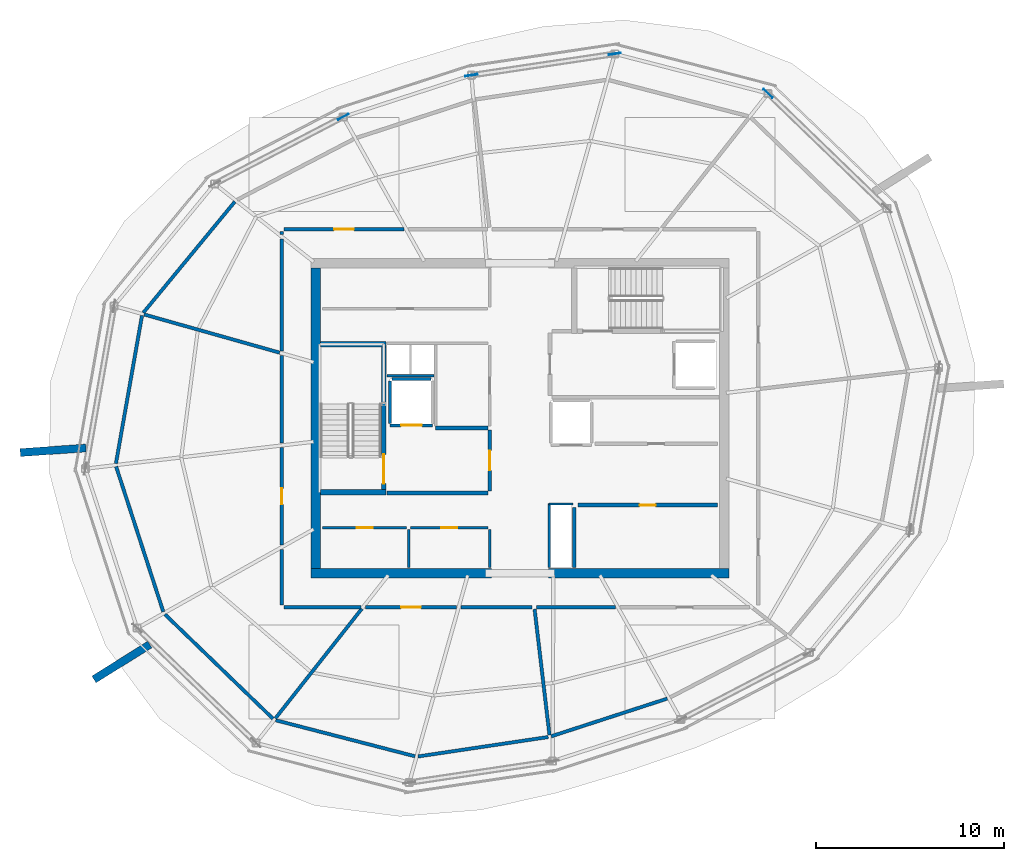
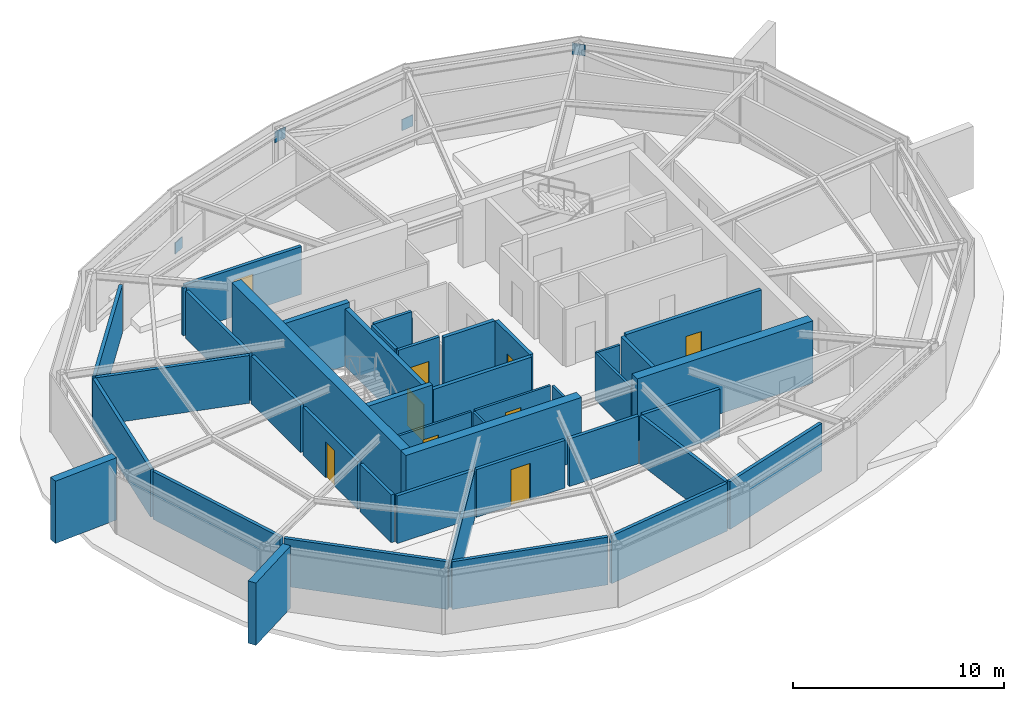
# One storey, part 7 of 10: 43 walls, 9 doors, 4 plates, 9 openings.
"""IFC4 building model written with IfcOpenShell, lengths in metres."""

from ifc_helpers import new_model, si_unit, direction, frame, frame_2d, origin, origin_2d, place, context, subcontext, project, spatial, rectangle, extrude, material, layer, layer_set, type_object, element, fill, save


model = new_model("IFC4")

# Units and contexts
model_context = context("Model", 3, precision=1e-05, world=origin(), true_north=direction((0.0, 1.0)))
body_context = subcontext(model_context, "Body", "Model", "MODEL_VIEW")
ifc_project = project(units=[si_unit("LENGTHUNIT", "METRE"), si_unit("AREAUNIT", "SQUARE_METRE"), si_unit("VOLUMEUNIT", "CUBIC_METRE"), si_unit("PLANEANGLEUNIT", "RADIAN"), si_unit("MASSUNIT", "GRAM", prefix="KILO")], contexts=[model_context])

# Site, building, storey
site_placement = place(None, origin())
site = spatial("IfcSite", under=ifc_project, at=site_placement, CompositionType="ELEMENT")
building_placement = place(site_placement, origin())
building = spatial("IfcBuilding", under=site, at=building_placement, Name="Kazma Halo Residences", CompositionType="ELEMENT")
storey_placement = place(building_placement, frame((0.0, 0.0, 363.199951171875)))
storey = spatial("IfcBuildingStorey", under=building, at=storey_placement, Name="L91", CompositionType="ELEMENT", Elevation=363.199951171875)

# Plates
ifc_material_1 = material(Name="Steel S355", Category="steel")
ifc_layer_1 = layer(ifc_material_1, 0.0400390625)
ifc_layer_set_1 = layer_set([ifc_layer_1], Name="Steel S355")
plate_type = type_object("IfcPlateType", Name="PLT-GUSSET-40", PredefinedType="SHEET", material=ifc_layer_set_1)
for number, where, z_axis, x_axis, name in (
    (1, (61.617431640625, 59.273681640625, 2.614990234375), (0.0, 0.0, 1.0), (-0.719342064482, 0.694656025863, 0.0), "L91 crown brace upper gusset 01"),
    (2, (53.46630859375, 61.38232421875, -0.044921875), (0.0, 0.0, 1.0), (-0.98903421845, -0.147686542161, 0.0), "L91 crown brace lower gusset 03"),
    (3, (45.8408203125, 60.24365234375, 2.614990234375), (0.0, 0.0, 1.0), (-0.98903421845, -0.147686542161, 0.0), "L91 crown brace upper gusset 03"),
    (4, (39.0234375, 58.02880859375, -0.044921875), (0.0, 0.0, 1.0), (-0.886949727325, -0.461865977529, 0.0), "L91 crown brace lower gusset 05"),
):
    element("IfcPlate", number, at=place(storey_placement, frame(where, z_axis=z_axis, x_axis=x_axis)), inside=storey, type_object=plate_type, Name=name, PredefinedType="SHEET", context=body_context, shape_type="SweptSolid", body=[
        extrude(rectangle(XDim=0.64990234375, YDim=0.0400390625, at=origin_2d()), origin(), (0.0, 0.0, 1.0), 0.64990234375),
    ])

# Walls
ifc_material_2 = material(Name="Pale Concrete C60/75", Category="concrete")
ifc_layer_2 = layer(ifc_material_2, 0.419921875)
ifc_layer_set_2 = layer_set([ifc_layer_2], Name="Pale Concrete C60/75")
wall_type_1 = type_object("IfcWallType", Name="WL-BLADE-420", PredefinedType="SOLIDWALL", material=ifc_layer_set_2)
for number, where, z_axis, x_axis, name in (
    (5, (25.333984375, 40.4150390625, 0.0), (0.0, 0.0, 1.0), (-0.997564163539, -0.069754853754, 0.0), "L91 pale concrete structural blade fin wall BW-02"),
    (6, (28.731201171875, 29.95947265625, 0.0), (0.0, 0.0, 1.0), (-0.848033572426, -0.529942506352, 0.0), "L91 pale concrete structural blade fin wall BW-03"),
):
    element("IfcWall", number, at=place(storey_placement, frame(where, z_axis=z_axis, x_axis=x_axis)), inside=storey, type_object=wall_type_1, Name=name, PredefinedType="SOLIDWALL", context=body_context, shape_type="SweptSolid", body=[
        extrude(rectangle(XDim=3.5, YDim=0.419921875, at=frame_2d((1.75, 0.0))), origin(), (0.0, 0.0, 1.0), 3.60009765625),
    ])
ifc_material_3 = material(Name="Concrete C60/75", Category="concrete")
ifc_layer_3 = layer(ifc_material_3, 0.5)
ifc_layer_set_3 = layer_set([ifc_layer_3], Name="Concrete C60/75")
wall_type_2 = type_object("IfcWallType", Name="WL-CORE-500", PredefinedType="SHEAR", material=ifc_layer_set_3)
wall_1_placement = place(storey_placement, frame((37.300048828125, 33.75, 0.0), z_axis=(0.0, 0.0, 1.0), x_axis=(1.0, 0.0, 0.0)))
element("IfcWall", 7, at=wall_1_placement, inside=storey, type_object=wall_type_2, Name="L91 central core shear wall SW", PredefinedType="SHEAR", context=body_context, shape_type="SweptSolid", body=[
    extrude(rectangle(XDim=9.599853515625, YDim=0.5, at=frame_2d((4.7998046875, 0.0))), origin(), (0.0, 0.0, 1.0), 3.60009765625),
])
wall_2_placement = place(storey_placement, frame((49.949951171875, 33.75, 0.0), z_axis=(0.0, 0.0, 1.0), x_axis=(1.0, 0.0, 0.0)))
element("IfcWall", 8, at=wall_2_placement, inside=storey, type_object=wall_type_2, Name="L91 central core shear wall SE", PredefinedType="SHEAR", context=body_context, shape_type="SweptSolid", body=[
    extrude(rectangle(XDim=9.60009765625, YDim=0.5, at=frame_2d((4.800048828125, 0.0))), origin(), (0.0, 0.0, 1.0), 3.60009765625),
])
wall_3_placement = place(storey_placement, frame((37.550048828125, 34.0, 0.0), z_axis=(0.0, 0.0, 1.0), x_axis=(0.0, 1.0, 0.0)))
element("IfcWall", 9, at=wall_3_placement, inside=storey, type_object=wall_type_2, Name="L91 central core shear wall W", PredefinedType="SHEAR", context=body_context, shape_type="SweptSolid", body=[
    extrude(rectangle(XDim=16.0, YDim=0.5, at=frame_2d((8.0, 0.0))), origin(), (0.0, 0.0, 1.0), 3.60009765625),
])
ifc_layer_4 = layer(ifc_material_3, 0.280029296875)
ifc_layer_set_4 = layer_set([ifc_layer_4], Name="Concrete C60/75")
wall_type_3 = type_object("IfcWallType", Name="WL-CORE-ST-280", PredefinedType="SHEAR", material=ifc_layer_set_4)
for number, where, z_axis, x_axis, name in (
    (10, (37.800048828125, 38.06005859375, 0.0), (0.0, 0.0, 1.0), (1.0, 0.0, 0.0), "L91 stairwell bearing wall ST01-S"),
    (11, (37.800048828125, 45.93994140625, 0.0), (0.0, 0.0, 1.0), (1.0, 0.0, 0.0), "L91 stairwell bearing wall ST01-N"),
):
    element("IfcWall", number, at=place(storey_placement, frame(where, z_axis=z_axis, x_axis=x_axis)), inside=storey, type_object=wall_type_3, Name=name, PredefinedType="SHEAR", context=body_context, shape_type="SweptSolid", body=[
        extrude(rectangle(XDim=3.5, YDim=0.280029296875, at=frame_2d((1.75, 0.0))), origin(), (0.0, 0.0, 1.0), 3.60009765625),
    ])
ifc_material_4 = material(Name="Acoustic Twin-Stud Gypsum")
ifc_layer_5 = layer(ifc_material_4, 0.179931640625)
ifc_layer_set_5 = layer_set([ifc_layer_5], Name="Acoustic Twin-Stud Gypsum")
wall_type_4 = type_object("IfcWallType", Name="WL-DEM-180", PredefinedType="PARTITIONING", material=ifc_layer_set_5)
wall_4_placement = place(storey_placement, frame((33.257568359375, 53.520263671875, 0.0), z_axis=(0.0, 0.0, 1.0), x_axis=(-0.636018833443, -0.771673534278, 0.0)))
element("IfcWall", 12, at=wall_4_placement, inside=storey, type_object=wall_type_4, Name="L91 crown plant perimeter wall 05", PredefinedType="PARTITIONING", context=body_context, shape_type="SweptSolid", body=[
    extrude(rectangle(XDim=7.661376953125, YDim=0.179931640625, at=frame_2d((3.83056640625, 0.0))), origin(), (0.0, 0.0, 1.0), 2.760009765625),
])
wall_5_placement = place(storey_placement, frame((28.320068359375, 47.467529296875, 0.0), z_axis=(0.0, 0.0, 1.0), x_axis=(-0.173668776466, -0.984804120666, 0.0)))
element("IfcWall", 13, at=wall_5_placement, inside=storey, type_object=wall_type_4, Name="L91 crown plant perimeter wall 06", PredefinedType="PARTITIONING", context=body_context, shape_type="SweptSolid", body=[
    extrude(rectangle(XDim=8.005859375, YDim=0.179931640625, at=frame_2d((4.0029296875, 0.0))), origin(), (0.0, 0.0, 1.0), 2.760009765625),
])
wall_6_placement = place(storey_placement, frame((26.940673828125, 39.428466796875, 0.0), z_axis=(0.0, 0.0, 1.0), x_axis=(0.309024234991, -0.951054163646, 0.0)))
element("IfcWall", 14, at=wall_6_placement, inside=storey, type_object=wall_type_4, Name="L91 crown plant perimeter wall 07", PredefinedType="PARTITIONING", context=body_context, shape_type="SweptSolid", body=[
    extrude(rectangle(XDim=8.1240234375, YDim=0.179931640625, at=frame_2d((4.06201171875, 0.0))), origin(), (0.0, 0.0, 1.0), 2.760009765625),
])
wall_7_placement = place(storey_placement, frame((29.533203125, 31.5703125, 0.0), z_axis=(0.0, 0.0, 1.0), x_axis=(0.719364153135, -0.694633151516, 0.0)))
element("IfcWall", 15, at=wall_7_placement, inside=storey, type_object=wall_type_4, Name="L91 crown plant perimeter wall 08", PredefinedType="PARTITIONING", context=body_context, shape_type="SweptSolid", body=[
    extrude(rectangle(XDim=8.006103515625, YDim=0.179931640625, at=frame_2d((4.0029296875, 0.0))), origin(), (0.0, 0.0, 1.0), 2.760009765625),
])
wall_8_placement = place(storey_placement, frame((35.42724609375, 25.93359375, 0.0), z_axis=(0.0, 0.0, 1.0), x_axis=(0.968117205342, -0.250497658115, 0.0)))
element("IfcWall", 16, at=wall_8_placement, inside=storey, type_object=wall_type_4, Name="L91 crown plant perimeter wall 09", PredefinedType="PARTITIONING", context=body_context, shape_type="SweptSolid", body=[
    extrude(rectangle(XDim=7.66162109375, YDim=0.179931640625, at=frame_2d((3.830810546875, 0.0))), origin(), (0.0, 0.0, 1.0), 2.760009765625),
])
wall_9_placement = place(storey_placement, frame((43.0009765625, 24.00634765625, 0.0), z_axis=(0.0, 0.0, 1.0), x_axis=(0.989034336252, 0.147685753256, 0.0)))
element("IfcWall", 17, at=wall_9_placement, inside=storey, type_object=wall_type_4, Name="L91 crown plant perimeter wall 10", PredefinedType="PARTITIONING", context=body_context, shape_type="SweptSolid", body=[
    extrude(rectangle(XDim=7.002685546875, YDim=0.179931640625, at=frame_2d((3.50146484375, 0.0))), origin(), (0.0, 0.0, 1.0), 2.760009765625),
])
wall_10_placement = place(storey_placement, frame((50.08203125, 25.076904296875, 0.0), z_axis=(0.0, 0.0, 1.0), x_axis=(0.95105283999, 0.309028308649, 0.0)))
element("IfcWall", 18, at=wall_10_placement, inside=storey, type_object=wall_type_4, Name="L91 crown plant perimeter wall 11", PredefinedType="PARTITIONING", context=body_context, shape_type="SweptSolid", body=[
    extrude(rectangle(XDim=6.498779296875, YDim=0.179931640625, at=frame_2d((3.24951171875, 0.0))), origin(), (0.0, 0.0, 1.0), 2.760009765625),
])

# Wall, opening, door
wall_11_placement = place(storey_placement, frame((42.251708984375, 52.050048828125, 0.0), z_axis=(0.0, 0.0, 1.0), x_axis=(-1.0, 0.0, 0.0)))
wall_11 = element("IfcWall", 19, at=wall_11_placement, inside=storey, type_object=wall_type_4, Name="L91 L91 Chilled-Water Pump Plant Room corridor wall", PredefinedType="PARTITIONING", context=body_context, shape_type="SweptSolid", body=[
    extrude(rectangle(XDim=6.381591796875, YDim=0.179931640625, at=frame_2d((3.19091796875, 0.0))), origin(), (0.0, 0.0, 1.0), 2.760009765625),
])
opening_1_placement = place(wall_11_placement, frame((2.666015625, 0.0, 0.0)))
opening_1 = element("IfcOpeningElement", 20, at=opening_1_placement, cuts=wall_11, Name="Opening DF-1050", PredefinedType="OPENING", context=body_context, shape_type="SweptSolid", body=[
    extrude(rectangle(XDim=1.050048828125, YDim=2.10009765625, at=frame_2d((0.52490234375, 1.050048828125))), frame((0.0, 0.099853515625, 0.0), z_axis=(0.0, -1.0, 0.0), x_axis=(1.0, 0.0, 0.0)), (0.0, 0.0, 1.0), 0.199951171875),
])
ifc_material_5 = material(Name="Fire-Rated Steel Leaf", Category="steel")
door_type_1 = type_object("IfcDoorType", Name="DR-FD90-1050", OperationType="NOTDEFINED", PredefinedType="DOOR", material=ifc_material_5)
door_1_placement = place(opening_1_placement, origin())
door_1 = element("IfcDoor", 21, at=door_1_placement, inside=storey, type_object=door_type_1, Name="L91 L91 Chilled-Water Pump Plant Room door", OperationType="SINGLE_SWING_RIGHT", OverallHeight=2.10009765625, OverallWidth=1.050048828125, PredefinedType="DOOR", context=body_context, shape_type="SweptSolid", body=[
    extrude(rectangle(XDim=1.050048828125, YDim=2.10009765625, at=frame_2d((0.52490234375, 1.050048828125))), frame((0.0, 0.02490234375, 0.0), z_axis=(0.0, -1.0, 0.0), x_axis=(1.0, 0.0, 0.0)), (0.0, 0.0, 1.0), 0.050048828125),
])
fill(opening_1, door_1)

# Walls
wall_12_placement = place(storey_placement, frame((35.75, 51.929931640625, 0.0), z_axis=(0.0, 0.0, 1.0), x_axis=(0.0, -1.0, 0.0)))
element("IfcWall", 22, at=wall_12_placement, inside=storey, type_object=wall_type_4, Name="L91 L91 Chilled-Water Pump Plant Room corridor wall", PredefinedType="PARTITIONING", context=body_context, shape_type="SweptSolid", body=[
    extrude(rectangle(XDim=0.15283203125, YDim=0.179931640625, at=frame_2d((0.076416015625, 0.0))), origin(), (0.0, 0.0, 1.0), 2.760009765625),
])
wall_13_placement = place(storey_placement, frame((35.75, 51.537109375, 0.0), z_axis=(0.0, 0.0, 1.0), x_axis=(0.0, -1.0, 0.0)))
element("IfcWall", 23, at=wall_13_placement, inside=storey, type_object=wall_type_4, Name="L91 L91 Chilled-Water Pump Plant Room corridor wall", PredefinedType="PARTITIONING", context=body_context, shape_type="SweptSolid", body=[
    extrude(rectangle(XDim=5.962158203125, YDim=0.179931640625, at=frame_2d((2.98095703125, 0.0))), origin(), (0.0, 0.0, 1.0), 2.760009765625),
])
wall_14_placement = place(storey_placement, frame((35.64404296875, 45.48486328125, 0.0), z_axis=(0.0, 0.0, 1.0), x_axis=(-0.96245862205, 0.271428445159, 0.0)))
element("IfcWall", 24, at=wall_14_placement, inside=storey, type_object=wall_type_4, Name="L91 radial partition wall 06", PredefinedType="PARTITIONING", context=body_context, shape_type="SweptSolid", body=[
    extrude(rectangle(XDim=7.495361328125, YDim=0.179931640625, at=frame_2d((3.74755859375, 0.0))), origin(), (0.0, 0.0, 1.0), 2.760009765625),
])
wall_15_placement = place(storey_placement, frame((35.75, 45.3349609375, 0.0), z_axis=(0.0, 0.0, 1.0), x_axis=(0.0, -1.0, 0.0)))
element("IfcWall", 25, at=wall_15_placement, inside=storey, type_object=wall_type_4, Name="L91 L91 Treated Water Tank Room corridor wall", PredefinedType="PARTITIONING", context=body_context, shape_type="SweptSolid", body=[
    extrude(rectangle(XDim=4.664794921875, YDim=0.179931640625, at=frame_2d((2.33251953125, 0.0))), origin(), (0.0, 0.0, 1.0), 2.760009765625),
])

# Wall, opening, door
wall_16_placement = place(storey_placement, frame((35.75, 40.43017578125, 0.0), z_axis=(0.0, 0.0, 1.0), x_axis=(0.0, -1.0, 0.0)))
wall_16 = element("IfcWall", 26, at=wall_16_placement, inside=storey, type_object=wall_type_4, Name="L91 L91 Treated Water Tank Room corridor wall", PredefinedType="PARTITIONING", context=body_context, shape_type="SweptSolid", body=[
    extrude(rectangle(XDim=5.17041015625, YDim=0.179931640625, at=frame_2d((2.585205078125, 0.0))), origin(), (0.0, 0.0, 1.0), 2.760009765625),
])
opening_2_placement = place(wall_16_placement, frame((2.16015625, 0.0, 0.0)))
opening_2 = element("IfcOpeningElement", 27, at=opening_2_placement, cuts=wall_16, Name="Opening DS-850", PredefinedType="OPENING", context=body_context, shape_type="SweptSolid", body=[
    extrude(rectangle(XDim=0.85009765625, YDim=2.06005859375, at=frame_2d((0.425048828125, 1.030029296875))), frame((0.0, 0.099853515625, 0.0), z_axis=(0.0, -1.0, 0.0), x_axis=(1.0, 0.0, 0.0)), (0.0, 0.0, 1.0), 0.199951171875),
])
ifc_material_6 = material(Name="Painted Steel Access Leaf", Category="steel")
door_type_2 = type_object("IfcDoorType", Name="DR-SVC-850", OperationType="NOTDEFINED", PredefinedType="DOOR", material=ifc_material_6)
door_2_placement = place(opening_2_placement, origin())
door_2 = element("IfcDoor", 28, at=door_2_placement, inside=storey, type_object=door_type_2, Name="L91 L91 Treated Water Tank Room door", OperationType="SINGLE_SWING_LEFT", OverallHeight=2.06005859375, OverallWidth=0.85009765625, PredefinedType="DOOR", context=body_context, shape_type="SweptSolid", body=[
    extrude(rectangle(XDim=0.85009765625, YDim=2.06005859375, at=frame_2d((0.425048828125, 1.030029296875))), frame((0.0, 0.02490234375, 0.0), z_axis=(0.0, -1.0, 0.0), x_axis=(1.0, 0.0, 0.0)), (0.0, 0.0, 1.0), 0.050048828125),
])
fill(opening_2, door_2)

# Walls
wall_17_placement = place(storey_placement, frame((35.75, 35.019775390625, 0.0), z_axis=(0.0, 0.0, 1.0), x_axis=(0.0, -1.0, 0.0)))
element("IfcWall", 29, at=wall_17_placement, inside=storey, type_object=wall_type_4, Name="L91 L91 Treated Water Tank Room corridor wall", PredefinedType="PARTITIONING", context=body_context, shape_type="SweptSolid", body=[
    extrude(rectangle(XDim=2.94970703125, YDim=0.179931640625, at=frame_2d((1.474853515625, 0.0))), origin(), (0.0, 0.0, 1.0), 2.760009765625),
])
wall_18_placement = place(storey_placement, frame((35.8701171875, 31.949951171875, 0.0), z_axis=(0.0, 0.0, 1.0), x_axis=(1.0, 0.0, 0.0)))
element("IfcWall", 30, at=wall_18_placement, inside=storey, type_object=wall_type_4, Name="L91 L91 Treated Water Tank Room corridor wall", PredefinedType="PARTITIONING", context=body_context, shape_type="SweptSolid", body=[
    extrude(rectangle(XDim=4.087158203125, YDim=0.179931640625, at=frame_2d((2.04345703125, 0.0))), origin(), (0.0, 0.0, 1.0), 2.760009765625),
])
wall_19_placement = place(storey_placement, frame((40.009033203125, 31.863525390625, 0.0), z_axis=(0.0, 0.0, 1.0), x_axis=(-0.619089811342, -0.785320192974, 0.0)))
element("IfcWall", 31, at=wall_19_placement, inside=storey, type_object=wall_type_4, Name="L91 radial partition wall 09", PredefinedType="PARTITIONING", context=body_context, shape_type="SweptSolid", body=[
    extrude(rectangle(XDim=7.42578125, YDim=0.179931640625, at=frame_2d((3.712890625, 0.0))), origin(), (0.0, 0.0, 1.0), 2.760009765625),
])

# Wall, opening, door
wall_20_placement = place(storey_placement, frame((40.197265625, 31.949951171875, 0.0), z_axis=(0.0, 0.0, 1.0), x_axis=(1.0, 0.0, 0.0)))
wall_20 = element("IfcWall", 32, at=wall_20_placement, inside=storey, type_object=wall_type_4, Name="L91 L91 Cooling Tower Plant Room South corridor wall", PredefinedType="PARTITIONING", context=body_context, shape_type="SweptSolid", body=[
    extrude(rectangle(XDim=4.848388671875, YDim=0.179931640625, at=frame_2d((2.42431640625, 0.0))), origin(), (0.0, 0.0, 1.0), 2.760009765625),
])
opening_3_placement = place(wall_20_placement, frame((1.899169921875, 0.0, 0.0)))
opening_3 = element("IfcOpeningElement", 33, at=opening_3_placement, cuts=wall_20, Name="Opening DF-1050", PredefinedType="OPENING", context=body_context, shape_type="SweptSolid", body=[
    extrude(rectangle(XDim=1.050048828125, YDim=2.10009765625, at=frame_2d((0.52490234375, 1.050048828125))), frame((0.0, 0.099853515625, 0.0), z_axis=(0.0, -1.0, 0.0), x_axis=(1.0, 0.0, 0.0)), (0.0, 0.0, 1.0), 0.199951171875),
])
door_3_placement = place(opening_3_placement, origin())
door_3 = element("IfcDoor", 34, at=door_3_placement, inside=storey, type_object=door_type_1, Name="L91 L91 Cooling Tower Plant Room South door", OperationType="SINGLE_SWING_RIGHT", OverallHeight=2.10009765625, OverallWidth=1.050048828125, PredefinedType="DOOR", context=body_context, shape_type="SweptSolid", body=[
    extrude(rectangle(XDim=1.050048828125, YDim=2.10009765625, at=frame_2d((0.52490234375, 1.050048828125))), frame((0.0, 0.02490234375, 0.0), z_axis=(0.0, -1.0, 0.0), x_axis=(1.0, 0.0, 0.0)), (0.0, 0.0, 1.0), 0.050048828125),
])
fill(opening_3, door_3)

# Walls
wall_21_placement = place(storey_placement, frame((45.28564453125, 31.949951171875, 0.0), z_axis=(0.0, 0.0, 1.0), x_axis=(1.0, 0.0, 0.0)))
element("IfcWall", 35, at=wall_21_placement, inside=storey, type_object=wall_type_4, Name="L91 L91 Cooling Tower Plant Room South corridor wall", PredefinedType="PARTITIONING", context=body_context, shape_type="SweptSolid", body=[
    extrude(rectangle(XDim=3.783935546875, YDim=0.179931640625, at=frame_2d((1.89208984375, 0.0))), origin(), (0.0, 0.0, 1.0), 2.760009765625),
])
wall_22_placement = place(storey_placement, frame((49.202392578125, 31.8408203125, 0.0), z_axis=(0.0, 0.0, 1.0), x_axis=(0.117541495417, -0.993067971921, 0.0)))
element("IfcWall", 36, at=wall_22_placement, inside=storey, type_object=wall_type_4, Name="L91 radial partition wall 11", PredefinedType="PARTITIONING", context=body_context, shape_type="SweptSolid", body=[
    extrude(rectangle(XDim=6.73583984375, YDim=0.179931640625, at=frame_2d((3.367919921875, 0.0))), origin(), (0.0, 0.0, 1.0), 2.760009765625),
])
wall_23_placement = place(storey_placement, frame((49.3095703125, 31.949951171875, 0.0), z_axis=(0.0, 0.0, 1.0), x_axis=(1.0, 0.0, 0.0)))
element("IfcWall", 37, at=wall_23_placement, inside=storey, type_object=wall_type_4, Name="L91 L91 Pressurisation Fan Plant Room corridor wall", PredefinedType="PARTITIONING", context=body_context, shape_type="SweptSolid", body=[
    extrude(rectangle(XDim=4.19873046875, YDim=0.179931640625, at=frame_2d((2.099365234375, 0.0))), origin(), (0.0, 0.0, 1.0), 2.760009765625),
])

# Wall, opening, door
ifc_material_7 = material(Name="Fire-Rated Blockwork Masonry", Category="masonry")
ifc_layer_6 = layer(ifc_material_7, 0.199951171875)
ifc_layer_set_6 = layer_set([ifc_layer_6], Name="Fire-Rated Blockwork Masonry")
wall_type_5 = type_object("IfcWallType", Name="WL-FLB-200", PredefinedType="PARTITIONING", material=ifc_layer_set_6)
wall_24_placement = place(storey_placement, frame((51.52001953125, 37.3798828125, 0.0), z_axis=(0.0, 0.0, 1.0), x_axis=(1.0, 0.0, 0.0)))
wall_24 = element("IfcWall", 38, at=wall_24_placement, inside=storey, type_object=wall_type_5, Name="L91 core fan plant wall", PredefinedType="PARTITIONING", context=body_context, shape_type="SweptSolid", body=[
    extrude(rectangle(XDim=7.39990234375, YDim=0.199951171875, at=frame_2d((3.699951171875, 0.0))), origin(), (0.0, 0.0, 1.0), 3.320068359375),
])
opening_4_placement = place(wall_24_placement, frame((3.27490234375, 0.0, 0.0)))
opening_4 = element("IfcOpeningElement", 39, at=opening_4_placement, cuts=wall_24, Name="Opening DS-850", PredefinedType="OPENING", context=body_context, shape_type="SweptSolid", body=[
    extrude(rectangle(XDim=0.85009765625, YDim=2.06005859375, at=frame_2d((0.425048828125, 1.030029296875))), frame((0.0, 0.10986328125, 0.0), z_axis=(0.0, -1.0, 0.0), x_axis=(1.0, 0.0, 0.0)), (0.0, 0.0, 1.0), 0.219970703125),
])
door_4_placement = place(opening_4_placement, origin())
door_4 = element("IfcDoor", 40, at=door_4_placement, inside=storey, type_object=door_type_2, Name="L91 core fan plant door", OperationType="SINGLE_SWING_RIGHT", OverallHeight=2.06005859375, OverallWidth=0.85009765625, PredefinedType="DOOR", context=body_context, shape_type="SweptSolid", body=[
    extrude(rectangle(XDim=0.85009765625, YDim=2.06005859375, at=frame_2d((0.425048828125, 1.030029296875))), frame((0.0, 0.02490234375, 0.0), z_axis=(0.0, -1.0, 0.0), x_axis=(1.0, 0.0, 0.0)), (0.0, 0.0, 1.0), 0.050048828125),
])
fill(opening_4, door_4)

# Wall
wall_25_placement = place(storey_placement, frame((51.31005859375, 34.050048828125, 0.0), z_axis=(0.0, 0.0, 1.0), x_axis=(0.0, 1.0, 0.0)))
element("IfcWall", 41, at=wall_25_placement, inside=storey, type_object=wall_type_5, Name="L91 core fan plant west wall", PredefinedType="PARTITIONING", context=body_context, shape_type="SweptSolid", body=[
    extrude(rectangle(XDim=3.2099609375, YDim=0.199951171875, at=frame_2d((1.60498046875, 0.0))), origin(), (0.0, 0.0, 1.0), 3.320068359375),
])

# Wall, opening, door
wall_26_placement = place(storey_placement, frame((43.780029296875, 41.6201171875, 0.0), z_axis=(0.0, 0.0, 1.0), x_axis=(-1.0, 0.0, 0.0)))
wall_26 = element("IfcWall", 42, at=wall_26_placement, inside=storey, type_object=wall_type_5, Name="L91 lift shaft FL-01 front wall", PredefinedType="PARTITIONING", context=body_context, shape_type="SweptSolid", body=[
    extrude(rectangle(XDim=2.260009765625, YDim=0.159912109375, at=frame_2d((1.1298828125, 0.0))), origin(), (0.0, 0.0, 1.0), 3.320068359375),
])
opening_5_placement = place(wall_26_placement, frame((0.580078125, 0.0, 0.0)))
opening_5 = element("IfcOpeningElement", 43, at=opening_5_placement, cuts=wall_26, Name="Opening LD-FL-01", PredefinedType="OPENING", context=body_context, shape_type="SweptSolid", body=[
    extrude(rectangle(XDim=1.10009765625, YDim=2.10009765625, at=frame_2d((0.550048828125, 1.050048828125))), frame((0.0, 0.08984375, 0.0), z_axis=(0.0, -1.0, 0.0), x_axis=(1.0, 0.0, 0.0)), (0.0, 0.0, 1.0), 0.179931640625),
])
ifc_material_8 = material(Name="Stainless Steel Fire-Rated", Category="steel")
door_type_3 = type_object("IfcDoorType", Name="DR-LIFT-SLD-1100", OperationType="DOUBLE_DOOR_SLIDING", PredefinedType="DOOR", material=ifc_material_8)
door_5_placement = place(opening_5_placement, origin())
door_5 = element("IfcDoor", 44, at=door_5_placement, inside=storey, type_object=door_type_3, Name="L91 lift FL-01 sliding landing door", OperationType="DOUBLE_DOOR_SLIDING", OverallHeight=2.10009765625, OverallWidth=1.10009765625, PredefinedType="DOOR", context=body_context, shape_type="SweptSolid", body=[
    extrude(rectangle(XDim=1.10009765625, YDim=2.10009765625, at=frame_2d((0.550048828125, 1.050048828125))), frame((0.0, 0.02490234375, 0.0), z_axis=(0.0, -1.0, 0.0), x_axis=(1.0, 0.0, 0.0)), (0.0, 0.0, 1.0), 0.050048828125),
])
fill(opening_5, door_5)

# Walls
wall_27_placement = place(storey_placement, frame((41.52001953125, 41.719970703125, 0.0), z_axis=(0.0, 0.0, 1.0), x_axis=(0.0, 1.0, 0.0)))
element("IfcWall", 45, at=wall_27_placement, inside=storey, type_object=wall_type_5, Name="L91 lift shaft FL-01 side wall W", PredefinedType="PARTITIONING", context=body_context, shape_type="SweptSolid", body=[
    extrude(rectangle(XDim=2.260009765625, YDim=0.159912109375, at=frame_2d((1.1298828125, 0.0))), origin(), (0.0, 0.0, 1.0), 3.320068359375),
])
wall_28_placement = place(storey_placement, frame((41.6201171875, 44.080078125, 0.0), z_axis=(0.0, 0.0, 1.0), x_axis=(1.0, 0.0, 0.0)))
element("IfcWall", 46, at=wall_28_placement, inside=storey, type_object=wall_type_5, Name="L91 lift shaft FL-01 side wall N", PredefinedType="PARTITIONING", context=body_context, shape_type="SweptSolid", body=[
    extrude(rectangle(XDim=2.059814453125, YDim=0.159912109375, at=frame_2d((1.02978515625, 0.0))), origin(), (0.0, 0.0, 1.0), 3.320068359375),
])
wall_29_placement = place(storey_placement, frame((41.35009765625, 38.02001953125, 0.0), z_axis=(0.0, 0.0, 1.0), x_axis=(1.0, 0.0, 0.0)))
element("IfcWall", 47, at=wall_29_placement, inside=storey, type_object=wall_type_5, Name="L91 west firefighting lobby south smoke wall", PredefinedType="PARTITIONING", context=body_context, shape_type="SweptSolid", body=[
    extrude(rectangle(XDim=5.369873046875, YDim=0.199951171875, at=frame_2d((2.68505859375, 0.0))), origin(), (0.0, 0.0, 1.0), 3.320068359375),
])
wall_30_placement = place(storey_placement, frame((43.919921875, 41.47998046875, 0.0), z_axis=(0.0, 0.0, 1.0), x_axis=(1.0, 0.0, 0.0)))
element("IfcWall", 48, at=wall_30_placement, inside=storey, type_object=wall_type_5, Name="L91 west firefighting lobby north smoke wall", PredefinedType="PARTITIONING", context=body_context, shape_type="SweptSolid", body=[
    extrude(rectangle(XDim=2.800048828125, YDim=0.199951171875, at=frame_2d((1.39990234375, 0.0))), origin(), (0.0, 0.0, 1.0), 3.320068359375),
])

# Wall, opening, door
wall_31_placement = place(storey_placement, frame((46.820068359375, 38.1201171875, 0.0), z_axis=(0.0, 0.0, 1.0), x_axis=(0.0, 1.0, 0.0)))
wall_31 = element("IfcWall", 49, at=wall_31_placement, inside=storey, type_object=wall_type_5, Name="L91 west firefighting lobby smoke wall", PredefinedType="PARTITIONING", context=body_context, shape_type="SweptSolid", body=[
    extrude(rectangle(XDim=3.259765625, YDim=0.199951171875, at=frame_2d((1.6298828125, 0.0))), origin(), (0.0, 0.0, 1.0), 3.320068359375),
])
opening_6_placement = place(wall_31_placement, frame((1.10498046875, 0.0, 0.0)))
opening_6 = element("IfcOpeningElement", 50, at=opening_6_placement, cuts=wall_31, Name="Opening D-FLW", PredefinedType="OPENING", context=body_context, shape_type="SweptSolid", body=[
    extrude(rectangle(XDim=1.050048828125, YDim=2.10009765625, at=frame_2d((0.52490234375, 1.050048828125))), frame((0.0, 0.10986328125, 0.0), z_axis=(0.0, -1.0, 0.0), x_axis=(1.0, 0.0, 0.0)), (0.0, 0.0, 1.0), 0.219970703125),
])
door_6_placement = place(opening_6_placement, origin())
door_6 = element("IfcDoor", 51, at=door_6_placement, inside=storey, type_object=door_type_1, Name="L91 west firefighting lobby smoke door", OperationType="SINGLE_SWING_RIGHT", OverallHeight=2.10009765625, OverallWidth=1.050048828125, PredefinedType="DOOR", context=body_context, shape_type="SweptSolid", body=[
    extrude(rectangle(XDim=1.050048828125, YDim=2.10009765625, at=frame_2d((0.52490234375, 1.050048828125))), frame((0.0, 0.02490234375, 0.0), z_axis=(0.0, -1.0, 0.0), x_axis=(1.0, 0.0, 0.0)), (0.0, 0.0, 1.0), 0.050048828125),
])
fill(opening_6, door_6)

# Walls
ifc_material_9 = material(Name="Gypsum Plasterboard Partition")
ifc_layer_7 = layer(ifc_material_9, 0.125)
ifc_layer_set_7 = layer_set([ifc_layer_7], Name="Gypsum Plasterboard Partition")
wall_type_6 = type_object("IfcWallType", Name="WL-PART-125", PredefinedType="PARTITIONING", material=ifc_layer_set_7)
for number, where, z_axis, x_axis, name in (
    (52, (46.820068359375, 34.050048828125, 0.0), (0.0, 0.0, 1.0), (0.0, 1.0, 0.0), "L91 reclaimed south east wall"),
    (53, (42.5, 34.050048828125, 0.0), (0.0, 0.0, 1.0), (0.0, 1.0, 0.0), "L91 reclaimed south divider wall"),
):
    element("IfcWall", number, at=place(storey_placement, frame(where, z_axis=z_axis, x_axis=x_axis)), inside=storey, type_object=wall_type_6, Name=name, PredefinedType="PARTITIONING", context=body_context, shape_type="SweptSolid", body=[
        extrude(rectangle(XDim=2.030029296875, YDim=0.125, at=frame_2d((1.01513671875, 0.0))), origin(), (0.0, 0.0, 1.0), 2.760009765625),
    ])

# Wall, opening, door
wall_32_placement = place(storey_placement, frame((37.919921875, 36.179931640625, 0.0), z_axis=(0.0, 0.0, 1.0), x_axis=(1.0, 0.0, 0.0)))
wall_32 = element("IfcWall", 54, at=wall_32_placement, inside=storey, type_object=wall_type_6, Name="L91 reclaimed south W front wall", PredefinedType="PARTITIONING", context=body_context, shape_type="SweptSolid", body=[
    extrude(rectangle(XDim=4.47998046875, YDim=0.125, at=frame_2d((2.239990234375, 0.0))), origin(), (0.0, 0.0, 1.0), 2.760009765625),
])
opening_7_placement = place(wall_32_placement, frame((1.81494140625, 0.0, 0.0)))
opening_7 = element("IfcOpeningElement", 55, at=opening_7_placement, cuts=wall_32, Name="Opening DS-850", PredefinedType="OPENING", context=body_context, shape_type="SweptSolid", body=[
    extrude(rectangle(XDim=0.85009765625, YDim=2.06005859375, at=frame_2d((0.425048828125, 1.030029296875))), frame((0.0, 0.072509765625, 0.0), z_axis=(0.0, -1.0, 0.0), x_axis=(1.0, 0.0, 0.0)), (0.0, 0.0, 1.0), 0.14501953125),
])
door_7_placement = place(opening_7_placement, origin())
door_7 = element("IfcDoor", 56, at=door_7_placement, inside=storey, type_object=door_type_2, Name="L91 reclaimed south W door", OperationType="SINGLE_SWING_RIGHT", OverallHeight=2.06005859375, OverallWidth=0.85009765625, PredefinedType="DOOR", context=body_context, shape_type="SweptSolid", body=[
    extrude(rectangle(XDim=0.85009765625, YDim=2.06005859375, at=frame_2d((0.425048828125, 1.030029296875))), frame((0.0, 0.02490234375, 0.0), z_axis=(0.0, -1.0, 0.0), x_axis=(1.0, 0.0, 0.0)), (0.0, 0.0, 1.0), 0.050048828125),
])
fill(opening_7, door_7)

wall_33_placement = place(storey_placement, frame((42.60009765625, 36.179931640625, 0.0), z_axis=(0.0, 0.0, 1.0), x_axis=(1.0, 0.0, 0.0)))
wall_33 = element("IfcWall", 57, at=wall_33_placement, inside=storey, type_object=wall_type_6, Name="L91 reclaimed south E front wall", PredefinedType="PARTITIONING", context=body_context, shape_type="SweptSolid", body=[
    extrude(rectangle(XDim=4.119873046875, YDim=0.125, at=frame_2d((2.06005859375, 0.0))), origin(), (0.0, 0.0, 1.0), 2.760009765625),
])
opening_8_placement = place(wall_33_placement, frame((1.635009765625, 0.0, 0.0)))
opening_8 = element("IfcOpeningElement", 58, at=opening_8_placement, cuts=wall_33, Name="Opening DS-850", PredefinedType="OPENING", context=body_context, shape_type="SweptSolid", body=[
    extrude(rectangle(XDim=0.85009765625, YDim=2.06005859375, at=frame_2d((0.425048828125, 1.030029296875))), frame((0.0, 0.072509765625, 0.0), z_axis=(0.0, -1.0, 0.0), x_axis=(1.0, 0.0, 0.0)), (0.0, 0.0, 1.0), 0.14501953125),
])
door_8_placement = place(opening_8_placement, origin())
door_8 = element("IfcDoor", 59, at=door_8_placement, inside=storey, type_object=door_type_2, Name="L91 reclaimed south E door", OperationType="SINGLE_SWING_LEFT", OverallHeight=2.06005859375, OverallWidth=0.85009765625, PredefinedType="DOOR", context=body_context, shape_type="SweptSolid", body=[
    extrude(rectangle(XDim=0.85009765625, YDim=2.06005859375, at=frame_2d((0.425048828125, 1.030029296875))), frame((0.0, 0.02490234375, 0.0), z_axis=(0.0, -1.0, 0.0), x_axis=(1.0, 0.0, 0.0)), (0.0, 0.0, 1.0), 0.050048828125),
])
fill(opening_8, door_8)

# Walls
wall_34_placement = place(storey_placement, frame((41.360107421875, 44.260009765625, 0.0), z_axis=(0.0, 0.0, 1.0), x_axis=(1.0, 0.0, 0.0)))
element("IfcWall", 60, at=wall_34_placement, inside=storey, type_object=wall_type_6, Name="L91 core riser south wall", PredefinedType="PARTITIONING", context=body_context, shape_type="SweptSolid", body=[
    extrude(rectangle(XDim=2.5, YDim=0.125, at=frame_2d((1.25, 0.0))), origin(), (0.0, 0.0, 1.0), 2.760009765625),
])
wall_35_placement = place(storey_placement, frame((49.97998046875, 34.06005859375, 0.0), z_axis=(0.0, 0.0, 1.0), x_axis=(0.0, 1.0, 0.0)))
element("IfcWall", 61, at=wall_35_placement, inside=storey, type_object=wall_type_6, Name="L91 standpipe riser wall", PredefinedType="PARTITIONING", context=body_context, shape_type="SweptSolid", body=[
    extrude(rectangle(XDim=3.39990234375, YDim=0.125, at=frame_2d((1.699951171875, 0.0))), origin(), (0.0, 0.0, 1.0), 2.760009765625),
])
wall_36_placement = place(storey_placement, frame((49.97998046875, 37.43994140625, 0.0), z_axis=(0.0, 0.0, 1.0), x_axis=(1.0, 0.0, 0.0)))
element("IfcWall", 62, at=wall_36_placement, inside=storey, type_object=wall_type_6, Name="L91 standpipe riser north wall", PredefinedType="PARTITIONING", context=body_context, shape_type="SweptSolid", body=[
    extrude(rectangle(XDim=1.260009765625, YDim=0.125, at=frame_2d((0.6298828125, 0.0))), origin(), (0.0, 0.0, 1.0), 2.760009765625),
])

# Wall, opening, door
ifc_material_10 = material(Name="Concrete C50/60", Category="concrete")
ifc_layer_8 = layer(ifc_material_10, 0.25)
ifc_layer_set_8 = layer_set([ifc_layer_8], Name="Concrete C50/60")
wall_type_7 = type_object("IfcWallType", Name="WL-SHF-250", PredefinedType="SOLIDWALL", material=ifc_layer_set_8)
wall_37_placement = place(storey_placement, frame((41.179931640625, 38.219970703125, 0.0), z_axis=(0.0, 0.0, 1.0), x_axis=(0.0, 1.0, 0.0)))
wall_37 = element("IfcWall", 63, at=wall_37_placement, inside=storey, type_object=wall_type_7, Name="L91 exit stair ST-01 enclosure wall", PredefinedType="SOLIDWALL", context=body_context, shape_type="SweptSolid", body=[
    extrude(rectangle(XDim=7.56005859375, YDim=0.25, at=frame_2d((3.780029296875, 0.0))), origin(), (0.0, 0.0, 1.0), 3.320068359375),
])
opening_9_placement = place(wall_37_placement, frame((0.300048828125, 0.0, 0.0)))
opening_9 = element("IfcOpeningElement", 64, at=opening_9_placement, cuts=wall_37, Name="Opening D-ST1", PredefinedType="OPENING", context=body_context, shape_type="SweptSolid", body=[
    extrude(rectangle(XDim=1.550048828125, YDim=2.14990234375, at=frame_2d((0.77490234375, 1.074951171875))), frame((0.0, 0.135009765625, 0.0), z_axis=(0.0, -1.0, 0.0), x_axis=(1.0, 0.0, 0.0)), (0.0, 0.0, 1.0), 0.27001953125),
])
ifc_material_11 = material(Name="Fire-Rated Double Steel Leaf", Category="steel")
door_type_4 = type_object("IfcDoorType", Name="DR-FD90-1550", OperationType="NOTDEFINED", PredefinedType="DOOR", material=ifc_material_11)
door_9_placement = place(opening_9_placement, origin())
door_9 = element("IfcDoor", 65, at=door_9_placement, inside=storey, type_object=door_type_4, Name="L91 exit stair ST-01 fire door", OperationType="DOUBLE_DOOR_SINGLE_SWING", OverallHeight=2.14990234375, OverallWidth=1.550048828125, PredefinedType="DOOR", context=body_context, shape_type="SweptSolid", body=[
    extrude(rectangle(XDim=1.550048828125, YDim=2.14990234375, at=frame_2d((0.77490234375, 1.074951171875))), frame((0.0, 0.02490234375, 0.0), z_axis=(0.0, -1.0, 0.0), x_axis=(1.0, 0.0, 0.0)), (0.0, 0.0, 1.0), 0.050048828125),
])
fill(opening_9, door_9)

save(model, "model.ifc")
